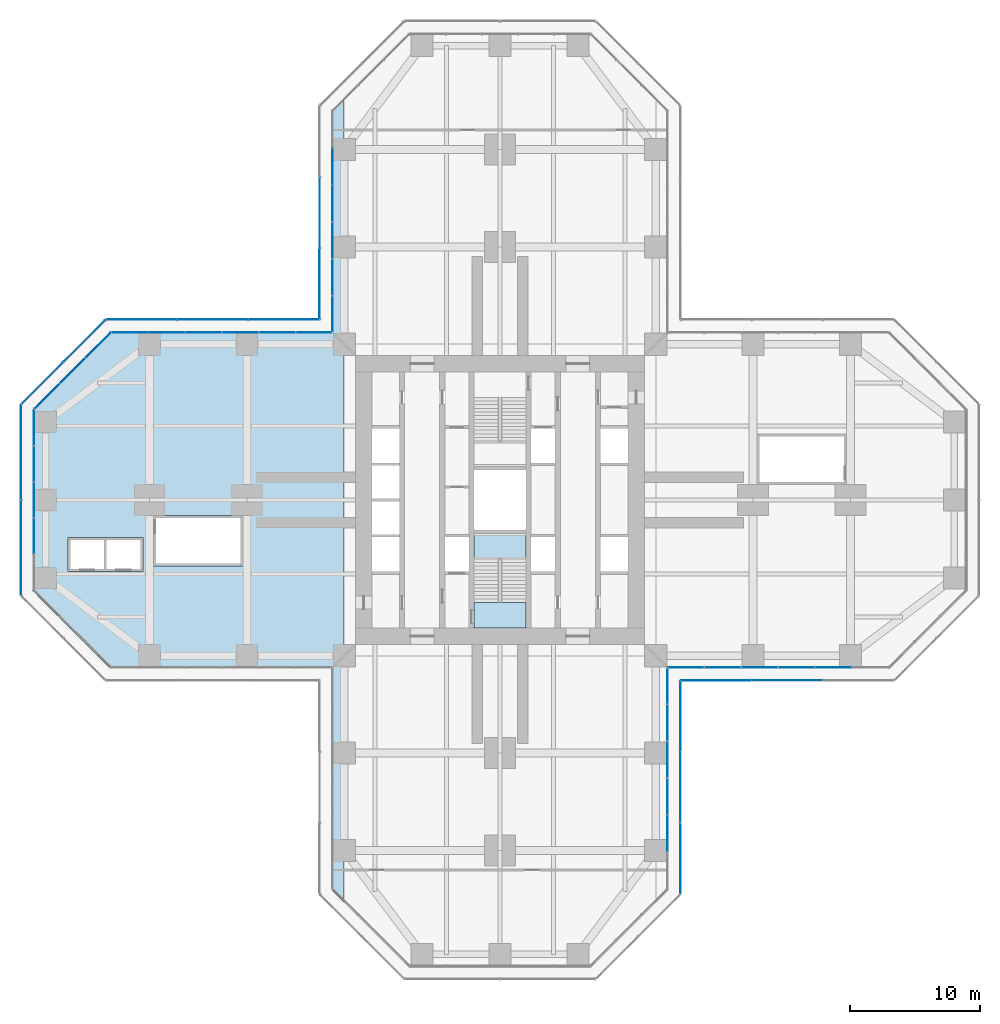
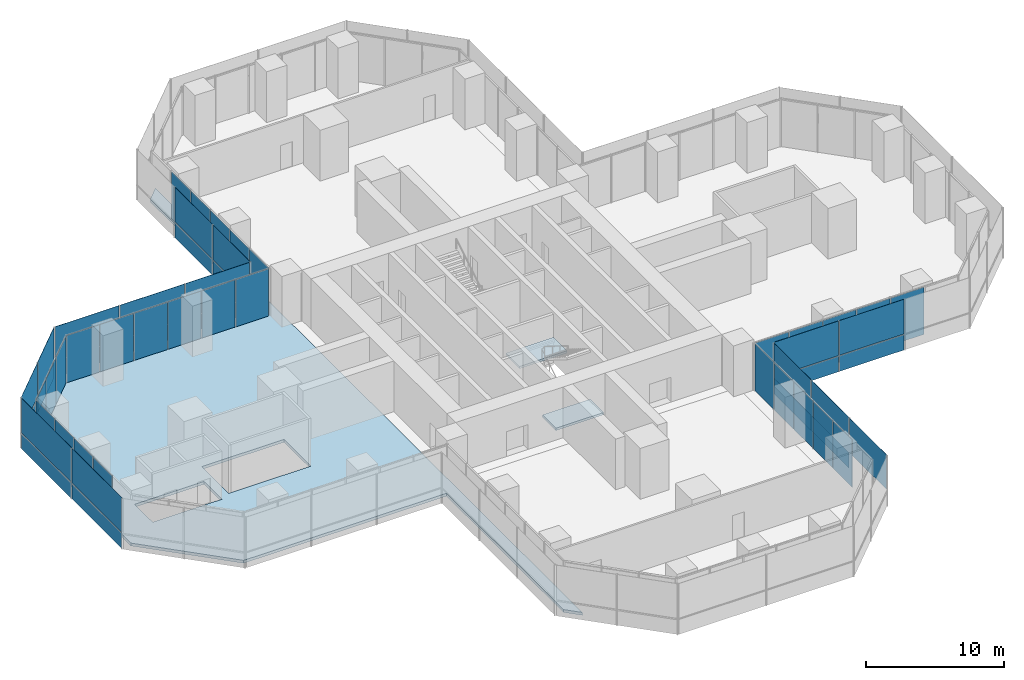
# One storey, part 14 of 21: 55 plates, 3 slabs, 13 elements without a shape of their own.
"""IFC4 building model written with IfcOpenShell, lengths in metres."""

from ifc_helpers import new_model, si_unit, direction, frame, origin, origin_2d, place, context, subcontext, project, spatial, polyline, rectangle, outline, extrude, material, layer, layer_set, type_object, element, aggregate, save


model = new_model("IFC4")

# Units and contexts
model_context = context("Model", 3, precision=1e-05, world=origin(), true_north=direction((0.0, 1.0)))
body_context = subcontext(model_context, "Body", "Model", "MODEL_VIEW")
ifc_project = project(units=[si_unit("LENGTHUNIT", "METRE"), si_unit("AREAUNIT", "SQUARE_METRE"), si_unit("VOLUMEUNIT", "CUBIC_METRE"), si_unit("PLANEANGLEUNIT", "RADIAN"), si_unit("MASSUNIT", "GRAM", prefix="KILO")], contexts=[model_context])

# Site, building, storey
site_placement = place(None, origin())
site = spatial("IfcSite", under=ifc_project, at=site_placement, CompositionType="ELEMENT")
building_placement = place(site_placement, origin())
building = spatial("IfcBuilding", under=site, at=building_placement, Name="Mizan Broadcast Tower", CompositionType="ELEMENT")
storey_placement = place(building_placement, frame((0.0, 0.0, 33.0)))
storey = spatial("IfcBuildingStorey", under=building, at=storey_placement, Name="L05", CompositionType="ELEMENT", Elevation=33.0)

# Curtain wall, plates
ifc_material_1 = material(Name="Aluminium framed glazing", Category="aluminium")
curtain_wall_type_1 = type_object("IfcCurtainWallType", Name="OUTER SKIN", PredefinedType="USERDEFINED", material=ifc_material_1)
curtain_wall_1_placement = place(storey_placement, origin())
curtain_wall_1 = element("IfcCurtainWall", 1, at=curtain_wall_1_placement, inside=storey, type_object=curtain_wall_type_1, Name="Outer skin L05 E side", ObjectType="OUTER SKIN", PredefinedType="USERDEFINED")
ifc_material_2 = material(Name="Laminated clear glass", Category="glass")
ifc_layer_1 = layer(ifc_material_2, 0.02001953125)
ifc_layer_set_1 = layer_set([ifc_layer_1], Name="Laminated clear glass")
plate_type_1 = type_object("IfcPlateType", Name="OUTER SKIN CLEAR GLASS", PredefinedType="CURTAIN_PANEL", material=ifc_layer_set_1)
plate_1_placement = place(storey_placement, frame((16.66552734375, -13.89990234375, 0.0), z_axis=(0.0, 0.0, 1.0), x_axis=(1.0, 0.0, 0.0)))
plate_1 = element("IfcPlate", 2, at=plate_1_placement, type_object=plate_type_1, Name="Outer skin L05 E side panel 1.1", PredefinedType="CURTAIN_PANEL", context=body_context, shape_type="SweptSolid", body=[
    extrude(rectangle(XDim=5.370849609375, YDim=0.02001953125, at=origin_2d()), origin(), (0.0, 0.0, 1.0), 1.3701171875),
])
plate_2_placement = place(storey_placement, frame((16.66552734375, -13.89990234375, 1.43017578125), z_axis=(0.0, 0.0, 1.0), x_axis=(1.0, 0.0, 0.0)))
plate_2 = element("IfcPlate", 3, at=plate_2_placement, type_object=plate_type_1, Name="Outer skin L05 E side panel 1.2", PredefinedType="CURTAIN_PANEL", context=body_context, shape_type="SweptSolid", body=[
    extrude(rectangle(XDim=5.370849609375, YDim=0.02001953125, at=origin_2d()), origin(), (0.0, 0.0, 1.0), 3.070068359375),
])

curtain_wall_2_placement = place(storey_placement, origin())
curtain_wall_2 = element("IfcCurtainWall", 4, at=curtain_wall_2_placement, inside=storey, type_object=curtain_wall_type_1, Name="Outer skin L05 N side", ObjectType="OUTER SKIN", PredefinedType="USERDEFINED")
plate_3_placement = place(storey_placement, frame((-13.89990234375, 16.66552734375, 0.0), z_axis=(0.0, 0.0, 1.0), x_axis=(0.0, -1.0, 0.0)))
plate_3 = element("IfcPlate", 5, at=plate_3_placement, type_object=plate_type_1, Name="Outer skin L05 N side panel 3.1", PredefinedType="CURTAIN_PANEL", context=body_context, shape_type="SweptSolid", body=[
    extrude(rectangle(XDim=5.370849609375, YDim=0.02001953125, at=origin_2d()), origin(), (0.0, 0.0, 1.0), 1.3701171875),
])
plate_4_placement = place(storey_placement, frame((-13.89990234375, 16.66552734375, 1.43017578125), z_axis=(0.0, 0.0, 1.0), x_axis=(0.0, -1.0, 0.0)))
plate_4 = element("IfcPlate", 6, at=plate_4_placement, type_object=plate_type_1, Name="Outer skin L05 N side panel 3.2", PredefinedType="CURTAIN_PANEL", context=body_context, shape_type="SweptSolid", body=[
    extrude(rectangle(XDim=5.370849609375, YDim=0.02001953125, at=origin_2d()), origin(), (0.0, 0.0, 1.0), 3.070068359375),
])

curtain_wall_3_placement = place(storey_placement, origin())
curtain_wall_3 = element("IfcCurtainWall", 7, at=curtain_wall_3_placement, inside=storey, type_object=curtain_wall_type_1, Name="Outer skin L05 W side", ObjectType="OUTER SKIN", PredefinedType="USERDEFINED")
plate_5_placement = place(storey_placement, frame((-16.66552734375, 13.89990234375, 0.0), z_axis=(0.0, 0.0, 1.0), x_axis=(-1.0, 0.0, 0.0)))
plate_5 = element("IfcPlate", 8, at=plate_5_placement, type_object=plate_type_1, Name="Outer skin L05 W side panel 1.1", PredefinedType="CURTAIN_PANEL", context=body_context, shape_type="SweptSolid", body=[
    extrude(rectangle(XDim=5.370849609375, YDim=0.02001953125, at=origin_2d()), origin(), (0.0, 0.0, 1.0), 1.3701171875),
])
plate_6_placement = place(storey_placement, frame((-16.66552734375, 13.89990234375, 1.43017578125), z_axis=(0.0, 0.0, 1.0), x_axis=(-1.0, 0.0, 0.0)))
plate_6 = element("IfcPlate", 9, at=plate_6_placement, type_object=plate_type_1, Name="Outer skin L05 W side panel 1.2", PredefinedType="CURTAIN_PANEL", context=body_context, shape_type="SweptSolid", body=[
    extrude(rectangle(XDim=5.370849609375, YDim=0.02001953125, at=origin_2d()), origin(), (0.0, 0.0, 1.0), 3.070068359375),
])
plate_7_placement = place(storey_placement, frame((-22.136474609375, 13.89990234375, 0.0), z_axis=(0.0, 0.0, 1.0), x_axis=(-1.0, 0.0, 0.0)))
plate_7 = element("IfcPlate", 10, at=plate_7_placement, type_object=plate_type_1, Name="Outer skin L05 W side panel 2.1", PredefinedType="CURTAIN_PANEL", context=body_context, shape_type="SweptSolid", body=[
    extrude(rectangle(XDim=5.410888671875, YDim=0.02001953125, at=origin_2d()), origin(), (0.0, 0.0, 1.0), 1.3701171875),
])
plate_8_placement = place(storey_placement, frame((-22.136474609375, 13.89990234375, 1.43017578125), z_axis=(0.0, 0.0, 1.0), x_axis=(-1.0, 0.0, 0.0)))
plate_8 = element("IfcPlate", 11, at=plate_8_placement, type_object=plate_type_1, Name="Outer skin L05 W side panel 2.2", PredefinedType="CURTAIN_PANEL", context=body_context, shape_type="SweptSolid", body=[
    extrude(rectangle(XDim=5.410888671875, YDim=0.02001953125, at=origin_2d()), origin(), (0.0, 0.0, 1.0), 3.070068359375),
])
plate_9_placement = place(storey_placement, frame((-27.607421875, 13.89990234375, 0.0), z_axis=(0.0, 0.0, 1.0), x_axis=(-1.0, 0.0, 0.0)))
plate_9 = element("IfcPlate", 12, at=plate_9_placement, type_object=plate_type_1, Name="Outer skin L05 W side panel 3.1", PredefinedType="CURTAIN_PANEL", context=body_context, shape_type="SweptSolid", body=[
    extrude(rectangle(XDim=5.370849609375, YDim=0.02001953125, at=origin_2d()), origin(), (0.0, 0.0, 1.0), 1.3701171875),
])
plate_10_placement = place(storey_placement, frame((-27.607421875, 13.89990234375, 1.43017578125), z_axis=(0.0, 0.0, 1.0), x_axis=(-1.0, 0.0, 0.0)))
plate_10 = element("IfcPlate", 13, at=plate_10_placement, type_object=plate_type_1, Name="Outer skin L05 W side panel 3.2", PredefinedType="CURTAIN_PANEL", context=body_context, shape_type="SweptSolid", body=[
    extrude(rectangle(XDim=5.370849609375, YDim=0.02001953125, at=origin_2d()), origin(), (0.0, 0.0, 1.0), 3.070068359375),
])
aggregate(curtain_wall_3, [plate_5, plate_6, plate_7, plate_8, plate_9, plate_10])

curtain_wall_4_placement = place(storey_placement, origin())
curtain_wall_4 = element("IfcCurtainWall", 14, at=curtain_wall_4_placement, inside=storey, type_object=curtain_wall_type_1, Name="Outer skin L05 W chamfer", ObjectType="OUTER SKIN", PredefinedType="USERDEFINED")
plate_11_placement = place(storey_placement, frame((-32.018798828125, 12.254150390625, 0.0), z_axis=(0.0, 0.0, 1.0), x_axis=(-0.707106781187, -0.707106781187, 0.0)))
plate_11 = element("IfcPlate", 15, at=plate_11_placement, type_object=plate_type_1, Name="Outer skin L05 W chamfer panel 1.1", PredefinedType="CURTAIN_PANEL", context=body_context, shape_type="SweptSolid", body=[
    extrude(rectangle(XDim=4.495361328125, YDim=0.02001953125, at=origin_2d()), origin(), (0.0, 0.0, 1.0), 1.3701171875),
])
plate_12_placement = place(storey_placement, frame((-32.018798828125, 12.254150390625, 1.43017578125), z_axis=(0.0, 0.0, 1.0), x_axis=(-0.707106781187, -0.707106781187, 0.0)))
plate_12 = element("IfcPlate", 16, at=plate_12_placement, type_object=plate_type_1, Name="Outer skin L05 W chamfer panel 1.2", PredefinedType="CURTAIN_PANEL", context=body_context, shape_type="SweptSolid", body=[
    extrude(rectangle(XDim=4.495361328125, YDim=0.02001953125, at=origin_2d()), origin(), (0.0, 0.0, 1.0), 3.070068359375),
])

curtain_wall_5_placement = place(storey_placement, origin())
curtain_wall_5 = element("IfcCurtainWall", 17, at=curtain_wall_5_placement, inside=storey, type_object=curtain_wall_type_1, Name="Outer skin L05 W end", ObjectType="OUTER SKIN", PredefinedType="USERDEFINED")
plate_13_placement = place(storey_placement, frame((-36.89990234375, 3.66650390625, 0.0), z_axis=(0.0, 0.0, 1.0), x_axis=(0.0, -1.0, 0.0)))
plate_13 = element("IfcPlate", 18, at=plate_13_placement, type_object=plate_type_1, Name="Outer skin L05 W end panel 1.1", PredefinedType="CURTAIN_PANEL", context=body_context, shape_type="SweptSolid", body=[
    extrude(rectangle(XDim=7.252685546875, YDim=0.02001953125, at=origin_2d()), origin(), (0.0, 0.0, 1.0), 1.3701171875),
])
plate_14_placement = place(storey_placement, frame((-36.89990234375, 3.66650390625, 1.43017578125), z_axis=(0.0, 0.0, 1.0), x_axis=(0.0, -1.0, 0.0)))
plate_14 = element("IfcPlate", 19, at=plate_14_placement, type_object=plate_type_1, Name="Outer skin L05 W end panel 1.2", PredefinedType="CURTAIN_PANEL", context=body_context, shape_type="SweptSolid", body=[
    extrude(rectangle(XDim=7.252685546875, YDim=0.02001953125, at=origin_2d()), origin(), (0.0, 0.0, 1.0), 3.070068359375),
])

curtain_wall_6_placement = place(storey_placement, origin())
curtain_wall_6 = element("IfcCurtainWall", 20, at=curtain_wall_6_placement, inside=storey, type_object=curtain_wall_type_1, Name="Outer skin L05 S side", ObjectType="OUTER SKIN", PredefinedType="USERDEFINED")
plate_15_placement = place(storey_placement, frame((13.89990234375, -27.607421875, 1.43017578125), z_axis=(0.0, 0.0, 1.0), x_axis=(0.0, 1.0, 0.0)))
plate_15 = element("IfcPlate", 21, at=plate_15_placement, type_object=plate_type_1, Name="Outer skin L05 S side panel 1.2", PredefinedType="CURTAIN_PANEL", context=body_context, shape_type="SweptSolid", body=[
    extrude(rectangle(XDim=5.370849609375, YDim=0.02001953125, at=origin_2d()), origin(), (0.0, 0.0, 1.0), 3.070068359375),
])
plate_16_placement = place(storey_placement, frame((13.89990234375, -16.66552734375, 0.0), z_axis=(0.0, 0.0, 1.0), x_axis=(0.0, 1.0, 0.0)))
plate_16 = element("IfcPlate", 22, at=plate_16_placement, type_object=plate_type_1, Name="Outer skin L05 S side panel 3.1", PredefinedType="CURTAIN_PANEL", context=body_context, shape_type="SweptSolid", body=[
    extrude(rectangle(XDim=5.370849609375, YDim=0.02001953125, at=origin_2d()), origin(), (0.0, 0.0, 1.0), 1.3701171875),
])
plate_17_placement = place(storey_placement, frame((13.89990234375, -16.66552734375, 1.43017578125), z_axis=(0.0, 0.0, 1.0), x_axis=(0.0, 1.0, 0.0)))
plate_17 = element("IfcPlate", 23, at=plate_17_placement, type_object=plate_type_1, Name="Outer skin L05 S side panel 3.2", PredefinedType="CURTAIN_PANEL", context=body_context, shape_type="SweptSolid", body=[
    extrude(rectangle(XDim=5.370849609375, YDim=0.02001953125, at=origin_2d()), origin(), (0.0, 0.0, 1.0), 3.070068359375),
])

# Plate
ifc_material_3 = material(Name="Perforated aluminium, pale anodised", Category="aluminium")
ifc_layer_2 = layer(ifc_material_3, 0.011962890625)
ifc_layer_set_2 = layer_set([ifc_layer_2], Name="Perforated aluminium, pale anodised")
plate_type_2 = type_object("IfcPlateType", Name="OUTER SKIN PERFORATED SCREEN", PredefinedType="USERDEFINED", material=ifc_layer_set_2)
plate_18_placement = place(storey_placement, frame((22.136474609375, -13.89990234375, 0.0), z_axis=(0.0, 0.0, 1.0), x_axis=(1.0, 0.0, 0.0)))
plate_18 = element("IfcPlate", 24, at=plate_18_placement, type_object=plate_type_2, Name="Outer skin L05 E side panel 2.1", ObjectType="SCREEN", PredefinedType="USERDEFINED", context=body_context, shape_type="SweptSolid", body=[
    extrude(rectangle(XDim=5.410888671875, YDim=0.011962890625, at=origin_2d()), origin(), (0.0, 0.0, 1.0), 1.3701171875),
])

plate_19_placement = place(storey_placement, frame((22.136474609375, -13.89990234375, 1.43017578125), z_axis=(0.0, 0.0, 1.0), x_axis=(1.0, 0.0, 0.0)))
plate_19 = element("IfcPlate", 25, at=plate_19_placement, type_object=plate_type_2, Name="Outer skin L05 E side panel 2.2", ObjectType="SCREEN", PredefinedType="USERDEFINED", context=body_context, shape_type="SweptSolid", body=[
    extrude(rectangle(XDim=5.410888671875, YDim=0.011962890625, at=origin_2d()), origin(), (0.0, 0.0, 1.0), 3.070068359375),
])

aggregate(curtain_wall_1, [plate_1, plate_2, plate_18, plate_19])

plate_20_placement = place(storey_placement, frame((-13.89990234375, 22.136474609375, 0.0), z_axis=(0.0, 0.0, 1.0), x_axis=(0.0, -1.0, 0.0)))
plate_20 = element("IfcPlate", 26, at=plate_20_placement, type_object=plate_type_2, Name="Outer skin L05 N side panel 2.1", ObjectType="SCREEN", PredefinedType="USERDEFINED", context=body_context, shape_type="SweptSolid", body=[
    extrude(rectangle(XDim=5.410888671875, YDim=0.011962890625, at=origin_2d()), origin(), (0.0, 0.0, 1.0), 1.3701171875),
])

plate_21_placement = place(storey_placement, frame((-13.89990234375, 22.136474609375, 1.43017578125), z_axis=(0.0, 0.0, 1.0), x_axis=(0.0, -1.0, 0.0)))
plate_21 = element("IfcPlate", 27, at=plate_21_placement, type_object=plate_type_2, Name="Outer skin L05 N side panel 2.2", ObjectType="SCREEN", PredefinedType="USERDEFINED", context=body_context, shape_type="SweptSolid", body=[
    extrude(rectangle(XDim=5.410888671875, YDim=0.011962890625, at=origin_2d()), origin(), (0.0, 0.0, 1.0), 3.070068359375),
])

aggregate(curtain_wall_2, [plate_20, plate_21, plate_3, plate_4])

plate_22_placement = place(storey_placement, frame((-35.254150390625, 9.018798828125, 0.0), z_axis=(0.0, 0.0, 1.0), x_axis=(-0.707106781187, -0.707106781187, 0.0)))
plate_22 = element("IfcPlate", 28, at=plate_22_placement, type_object=plate_type_2, Name="Outer skin L05 W chamfer panel 2.1", ObjectType="SCREEN", PredefinedType="USERDEFINED", context=body_context, shape_type="SweptSolid", body=[
    extrude(rectangle(XDim=4.495361328125, YDim=0.011962890625, at=origin_2d()), origin(), (0.0, 0.0, 1.0), 1.3701171875),
])

plate_23_placement = place(storey_placement, frame((-35.254150390625, 9.018798828125, 1.43017578125), z_axis=(0.0, 0.0, 1.0), x_axis=(-0.707106781187, -0.707106781187, 0.0)))
plate_23 = element("IfcPlate", 29, at=plate_23_placement, type_object=plate_type_2, Name="Outer skin L05 W chamfer panel 2.2", ObjectType="SCREEN", PredefinedType="USERDEFINED", context=body_context, shape_type="SweptSolid", body=[
    extrude(rectangle(XDim=4.495361328125, YDim=0.011962890625, at=origin_2d()), origin(), (0.0, 0.0, 1.0), 3.070068359375),
])

aggregate(curtain_wall_4, [plate_11, plate_12, plate_22, plate_23])

plate_24_placement = place(storey_placement, frame((-36.89990234375, -3.66650390625, 0.0), z_axis=(0.0, 0.0, 1.0), x_axis=(0.0, -1.0, 0.0)))
plate_24 = element("IfcPlate", 30, at=plate_24_placement, type_object=plate_type_2, Name="Outer skin L05 W end panel 2.1", ObjectType="SCREEN", PredefinedType="USERDEFINED", context=body_context, shape_type="SweptSolid", body=[
    extrude(rectangle(XDim=7.252685546875, YDim=0.011962890625, at=origin_2d()), origin(), (0.0, 0.0, 1.0), 1.3701171875),
])

plate_25_placement = place(storey_placement, frame((-36.89990234375, -3.66650390625, 1.43017578125), z_axis=(0.0, 0.0, 1.0), x_axis=(0.0, -1.0, 0.0)))
plate_25 = element("IfcPlate", 31, at=plate_25_placement, type_object=plate_type_2, Name="Outer skin L05 W end panel 2.2", ObjectType="SCREEN", PredefinedType="USERDEFINED", context=body_context, shape_type="SweptSolid", body=[
    extrude(rectangle(XDim=7.252685546875, YDim=0.011962890625, at=origin_2d()), origin(), (0.0, 0.0, 1.0), 3.070068359375),
])

aggregate(curtain_wall_5, [plate_13, plate_14, plate_24, plate_25])

plate_26_placement = place(storey_placement, frame((13.89990234375, -22.136474609375, 0.0), z_axis=(0.0, 0.0, 1.0), x_axis=(0.0, 1.0, 0.0)))
plate_26 = element("IfcPlate", 32, at=plate_26_placement, type_object=plate_type_2, Name="Outer skin L05 S side panel 2.1", ObjectType="SCREEN", PredefinedType="USERDEFINED", context=body_context, shape_type="SweptSolid", body=[
    extrude(rectangle(XDim=5.410888671875, YDim=0.011962890625, at=origin_2d()), origin(), (0.0, 0.0, 1.0), 1.3701171875),
])

plate_27_placement = place(storey_placement, frame((13.89990234375, -22.136474609375, 1.43017578125), z_axis=(0.0, 0.0, 1.0), x_axis=(0.0, 1.0, 0.0)))
plate_27 = element("IfcPlate", 33, at=plate_27_placement, type_object=plate_type_2, Name="Outer skin L05 S side panel 2.2", ObjectType="SCREEN", PredefinedType="USERDEFINED", context=body_context, shape_type="SweptSolid", body=[
    extrude(rectangle(XDim=5.410888671875, YDim=0.011962890625, at=origin_2d()), origin(), (0.0, 0.0, 1.0), 3.070068359375),
])

aggregate(curtain_wall_6, [plate_15, plate_26, plate_27, plate_16, plate_17])

# Curtain wall, plates
ifc_material_4 = material(Name="Aluminium framed glazing", Category="aluminium")
curtain_wall_type_2 = type_object("IfcCurtainWallType", Name="PODIUM CURTAIN WALL", PredefinedType="USERDEFINED", material=ifc_material_4)
curtain_wall_7_placement = place(storey_placement, origin())
curtain_wall_7 = element("IfcCurtainWall", 34, at=curtain_wall_7_placement, inside=storey, type_object=curtain_wall_type_2, Name="Podium curtain wall L05 E side", ObjectType="PODIUM CURTAIN WALL", PredefinedType="USERDEFINED")
ifc_material_5 = material(Name="Double glazing, clear laminated", Category="glass")
ifc_layer_3 = layer(ifc_material_5, 0.031982421875)
ifc_layer_set_3 = layer_set([ifc_layer_3], Name="Double glazing, clear laminated")
plate_type_3 = type_object("IfcPlateType", Name="PODIUM GLAZING UNIT", PredefinedType="CURTAIN_PANEL", material=ifc_layer_set_3)
plate_28_placement = place(storey_placement, frame((14.336669921875, -12.89990234375, 0.0), z_axis=(0.0, 0.0, 1.0), x_axis=(1.0, 0.0, 0.0)))
plate_28 = element("IfcPlate", 35, at=plate_28_placement, type_object=plate_type_3, Name="Podium curtain wall L05 E side panel 1.1", PredefinedType="CURTAIN_PANEL", context=body_context, shape_type="SweptSolid", body=[
    extrude(rectangle(XDim=2.753173828125, YDim=0.031982421875, at=origin_2d()), origin(), (0.0, 0.0, 1.0), 4.18994140625),
])
plate_29_placement = place(storey_placement, frame((17.16455078125, -12.89990234375, 0.0), z_axis=(0.0, 0.0, 1.0), x_axis=(1.0, 0.0, 0.0)))
plate_29 = element("IfcPlate", 36, at=plate_29_placement, type_object=plate_type_3, Name="Podium curtain wall L05 E side panel 2.1", PredefinedType="CURTAIN_PANEL", context=body_context, shape_type="SweptSolid", body=[
    extrude(rectangle(XDim=2.783203125, YDim=0.031982421875, at=origin_2d()), origin(), (0.0, 0.0, 1.0), 4.18994140625),
])
plate_30_placement = place(storey_placement, frame((20.0078125, -12.89990234375, 0.0), z_axis=(0.0, 0.0, 1.0), x_axis=(1.0, 0.0, 0.0)))
plate_30 = element("IfcPlate", 37, at=plate_30_placement, type_object=plate_type_3, Name="Podium curtain wall L05 E side panel 3.1", PredefinedType="CURTAIN_PANEL", context=body_context, shape_type="SweptSolid", body=[
    extrude(rectangle(XDim=2.783203125, YDim=0.031982421875, at=origin_2d()), origin(), (0.0, 0.0, 1.0), 4.18994140625),
])
plate_31_placement = place(storey_placement, frame((22.850830078125, -12.89990234375, 0.0), z_axis=(0.0, 0.0, 1.0), x_axis=(1.0, 0.0, 0.0)))
plate_31 = element("IfcPlate", 38, at=plate_31_placement, type_object=plate_type_3, Name="Podium curtain wall L05 E side panel 4.1", PredefinedType="CURTAIN_PANEL", context=body_context, shape_type="SweptSolid", body=[
    extrude(rectangle(XDim=2.783203125, YDim=0.031982421875, at=origin_2d()), origin(), (0.0, 0.0, 1.0), 4.18994140625),
])
plate_32_placement = place(storey_placement, frame((25.69384765625, -12.89990234375, 0.0), z_axis=(0.0, 0.0, 1.0), x_axis=(1.0, 0.0, 0.0)))
plate_32 = element("IfcPlate", 39, at=plate_32_placement, type_object=plate_type_3, Name="Podium curtain wall L05 E side panel 5.1", PredefinedType="CURTAIN_PANEL", context=body_context, shape_type="SweptSolid", body=[
    extrude(rectangle(XDim=2.783203125, YDim=0.031982421875, at=origin_2d()), origin(), (0.0, 0.0, 1.0), 4.18994140625),
])
aggregate(curtain_wall_7, [plate_28, plate_29, plate_30, plate_31, plate_32])

curtain_wall_8_placement = place(storey_placement, origin())
curtain_wall_8 = element("IfcCurtainWall", 40, at=curtain_wall_8_placement, inside=storey, type_object=curtain_wall_type_2, Name="Podium curtain wall L05 N side", ObjectType="PODIUM CURTAIN WALL", PredefinedType="USERDEFINED")
plate_33_placement = place(storey_placement, frame((-12.89990234375, 25.69384765625, 0.0), z_axis=(0.0, 0.0, 1.0), x_axis=(0.0, -1.0, 0.0)))
plate_33 = element("IfcPlate", 41, at=plate_33_placement, type_object=plate_type_3, Name="Podium curtain wall L05 N side panel 2.1", PredefinedType="CURTAIN_PANEL", context=body_context, shape_type="SweptSolid", body=[
    extrude(rectangle(XDim=2.783203125, YDim=0.031982421875, at=origin_2d()), origin(), (0.0, 0.0, 1.0), 4.18994140625),
])
plate_34_placement = place(storey_placement, frame((-12.89990234375, 22.850830078125, 0.0), z_axis=(0.0, 0.0, 1.0), x_axis=(0.0, -1.0, 0.0)))
plate_34 = element("IfcPlate", 42, at=plate_34_placement, type_object=plate_type_3, Name="Podium curtain wall L05 N side panel 3.1", PredefinedType="CURTAIN_PANEL", context=body_context, shape_type="SweptSolid", body=[
    extrude(rectangle(XDim=2.783203125, YDim=0.031982421875, at=origin_2d()), origin(), (0.0, 0.0, 1.0), 4.18994140625),
])
plate_35_placement = place(storey_placement, frame((-12.89990234375, 20.0078125, 0.0), z_axis=(0.0, 0.0, 1.0), x_axis=(0.0, -1.0, 0.0)))
plate_35 = element("IfcPlate", 43, at=plate_35_placement, type_object=plate_type_3, Name="Podium curtain wall L05 N side panel 4.1", PredefinedType="CURTAIN_PANEL", context=body_context, shape_type="SweptSolid", body=[
    extrude(rectangle(XDim=2.783203125, YDim=0.031982421875, at=origin_2d()), origin(), (0.0, 0.0, 1.0), 4.18994140625),
])
plate_36_placement = place(storey_placement, frame((-12.89990234375, 17.16455078125, 0.0), z_axis=(0.0, 0.0, 1.0), x_axis=(0.0, -1.0, 0.0)))
plate_36 = element("IfcPlate", 44, at=plate_36_placement, type_object=plate_type_3, Name="Podium curtain wall L05 N side panel 5.1", PredefinedType="CURTAIN_PANEL", context=body_context, shape_type="SweptSolid", body=[
    extrude(rectangle(XDim=2.783203125, YDim=0.031982421875, at=origin_2d()), origin(), (0.0, 0.0, 1.0), 4.18994140625),
])
plate_37_placement = place(storey_placement, frame((-12.89990234375, 14.336669921875, 0.0), z_axis=(0.0, 0.0, 1.0), x_axis=(0.0, -1.0, 0.0)))
plate_37 = element("IfcPlate", 45, at=plate_37_placement, type_object=plate_type_3, Name="Podium curtain wall L05 N side panel 6.1", PredefinedType="CURTAIN_PANEL", context=body_context, shape_type="SweptSolid", body=[
    extrude(rectangle(XDim=2.753173828125, YDim=0.031982421875, at=origin_2d()), origin(), (0.0, 0.0, 1.0), 4.18994140625),
])
aggregate(curtain_wall_8, [plate_33, plate_34, plate_35, plate_36, plate_37])

curtain_wall_9_placement = place(storey_placement, origin())
curtain_wall_9 = element("IfcCurtainWall", 46, at=curtain_wall_9_placement, inside=storey, type_object=curtain_wall_type_2, Name="Podium curtain wall L05 W side", ObjectType="PODIUM CURTAIN WALL", PredefinedType="USERDEFINED")
plate_38_placement = place(storey_placement, frame((-14.336669921875, 12.89990234375, 0.0), z_axis=(0.0, 0.0, 1.0), x_axis=(-1.0, 0.0, 0.0)))
plate_38 = element("IfcPlate", 47, at=plate_38_placement, type_object=plate_type_3, Name="Podium curtain wall L05 W side panel 1.1", PredefinedType="CURTAIN_PANEL", context=body_context, shape_type="SweptSolid", body=[
    extrude(rectangle(XDim=2.753173828125, YDim=0.031982421875, at=origin_2d()), origin(), (0.0, 0.0, 1.0), 4.18994140625),
])
plate_39_placement = place(storey_placement, frame((-17.16455078125, 12.89990234375, 0.0), z_axis=(0.0, 0.0, 1.0), x_axis=(-1.0, 0.0, 0.0)))
plate_39 = element("IfcPlate", 48, at=plate_39_placement, type_object=plate_type_3, Name="Podium curtain wall L05 W side panel 2.1", PredefinedType="CURTAIN_PANEL", context=body_context, shape_type="SweptSolid", body=[
    extrude(rectangle(XDim=2.783203125, YDim=0.031982421875, at=origin_2d()), origin(), (0.0, 0.0, 1.0), 4.18994140625),
])
plate_40_placement = place(storey_placement, frame((-20.0078125, 12.89990234375, 0.0), z_axis=(0.0, 0.0, 1.0), x_axis=(-1.0, 0.0, 0.0)))
plate_40 = element("IfcPlate", 49, at=plate_40_placement, type_object=plate_type_3, Name="Podium curtain wall L05 W side panel 3.1", PredefinedType="CURTAIN_PANEL", context=body_context, shape_type="SweptSolid", body=[
    extrude(rectangle(XDim=2.783203125, YDim=0.031982421875, at=origin_2d()), origin(), (0.0, 0.0, 1.0), 4.18994140625),
])
plate_41_placement = place(storey_placement, frame((-22.850830078125, 12.89990234375, 0.0), z_axis=(0.0, 0.0, 1.0), x_axis=(-1.0, 0.0, 0.0)))
plate_41 = element("IfcPlate", 50, at=plate_41_placement, type_object=plate_type_3, Name="Podium curtain wall L05 W side panel 4.1", PredefinedType="CURTAIN_PANEL", context=body_context, shape_type="SweptSolid", body=[
    extrude(rectangle(XDim=2.783203125, YDim=0.031982421875, at=origin_2d()), origin(), (0.0, 0.0, 1.0), 4.18994140625),
])
plate_42_placement = place(storey_placement, frame((-25.69384765625, 12.89990234375, 0.0), z_axis=(0.0, 0.0, 1.0), x_axis=(-1.0, 0.0, 0.0)))
plate_42 = element("IfcPlate", 51, at=plate_42_placement, type_object=plate_type_3, Name="Podium curtain wall L05 W side panel 5.1", PredefinedType="CURTAIN_PANEL", context=body_context, shape_type="SweptSolid", body=[
    extrude(rectangle(XDim=2.783203125, YDim=0.031982421875, at=origin_2d()), origin(), (0.0, 0.0, 1.0), 4.18994140625),
])
plate_43_placement = place(storey_placement, frame((-28.52197265625, 12.89990234375, 0.0), z_axis=(0.0, 0.0, 1.0), x_axis=(-1.0, 0.0, 0.0)))
plate_43 = element("IfcPlate", 52, at=plate_43_placement, type_object=plate_type_3, Name="Podium curtain wall L05 W side panel 6.1", PredefinedType="CURTAIN_PANEL", context=body_context, shape_type="SweptSolid", body=[
    extrude(rectangle(XDim=2.753173828125, YDim=0.031982421875, at=origin_2d()), origin(), (0.0, 0.0, 1.0), 4.18994140625),
])
aggregate(curtain_wall_9, [plate_38, plate_39, plate_40, plate_41, plate_42, plate_43])

curtain_wall_10_placement = place(storey_placement, origin())
curtain_wall_10 = element("IfcCurtainWall", 53, at=curtain_wall_10_placement, inside=storey, type_object=curtain_wall_type_2, Name="Podium curtain wall L05 W chamfer", ObjectType="PODIUM CURTAIN WALL", PredefinedType="USERDEFINED")
plate_44_placement = place(storey_placement, frame((-30.95947265625, 11.899169921875, 0.0), z_axis=(0.0, 0.0, 1.0), x_axis=(-0.707106781187, -0.707106781187, 0.0)))
plate_44 = element("IfcPlate", 54, at=plate_44_placement, type_object=plate_type_3, Name="Podium curtain wall L05 W chamfer panel 1.1", PredefinedType="CURTAIN_PANEL", context=body_context, shape_type="SweptSolid", body=[
    extrude(rectangle(XDim=2.710693359375, YDim=0.031982421875, at=origin_2d()), origin(), (0.0, 0.0, 1.0), 4.18994140625),
])
plate_45_placement = place(storey_placement, frame((-32.92919921875, 9.92919921875, 0.0), z_axis=(0.0, 0.0, 1.0), x_axis=(-0.707106781187, -0.707106781187, 0.0)))
plate_45 = element("IfcPlate", 55, at=plate_45_placement, type_object=plate_type_3, Name="Podium curtain wall L05 W chamfer panel 2.1", PredefinedType="CURTAIN_PANEL", context=body_context, shape_type="SweptSolid", body=[
    extrude(rectangle(XDim=2.74072265625, YDim=0.031982421875, at=origin_2d()), origin(), (0.0, 0.0, 1.0), 4.18994140625),
])
plate_46_placement = place(storey_placement, frame((-34.899169921875, 7.95947265625, 0.0), z_axis=(0.0, 0.0, 1.0), x_axis=(-0.707106781187, -0.707106781187, 0.0)))
plate_46 = element("IfcPlate", 56, at=plate_46_placement, type_object=plate_type_3, Name="Podium curtain wall L05 W chamfer panel 3.1", PredefinedType="CURTAIN_PANEL", context=body_context, shape_type="SweptSolid", body=[
    extrude(rectangle(XDim=2.710693359375, YDim=0.031982421875, at=origin_2d()), origin(), (0.0, 0.0, 1.0), 4.18994140625),
])
aggregate(curtain_wall_10, [plate_44, plate_45, plate_46])

curtain_wall_11_placement = place(storey_placement, origin())
curtain_wall_11 = element("IfcCurtainWall", 57, at=curtain_wall_11_placement, inside=storey, type_object=curtain_wall_type_2, Name="Podium curtain wall L05 W end", ObjectType="PODIUM CURTAIN WALL", PredefinedType="USERDEFINED")
plate_47_placement = place(storey_placement, frame((-35.89990234375, 5.5517578125, 0.0), z_axis=(0.0, 0.0, 1.0), x_axis=(0.0, -1.0, 0.0)))
plate_47 = element("IfcPlate", 58, at=plate_47_placement, type_object=plate_type_3, Name="Podium curtain wall L05 W end panel 1.1", PredefinedType="CURTAIN_PANEL", context=body_context, shape_type="SweptSolid", body=[
    extrude(rectangle(XDim=2.693359375, YDim=0.031982421875, at=origin_2d()), origin(), (0.0, 0.0, 1.0), 4.18994140625),
])
plate_48_placement = place(storey_placement, frame((-35.89990234375, 2.783447265625, 0.0), z_axis=(0.0, 0.0, 1.0), x_axis=(0.0, -1.0, 0.0)))
plate_48 = element("IfcPlate", 59, at=plate_48_placement, type_object=plate_type_3, Name="Podium curtain wall L05 W end panel 2.1", PredefinedType="CURTAIN_PANEL", context=body_context, shape_type="SweptSolid", body=[
    extrude(rectangle(XDim=2.723388671875, YDim=0.031982421875, at=origin_2d()), origin(), (0.0, 0.0, 1.0), 4.18994140625),
])
plate_49_placement = place(storey_placement, frame((-35.89990234375, 0.0, 0.0), z_axis=(0.0, 0.0, 1.0), x_axis=(0.0, -1.0, 0.0)))
plate_49 = element("IfcPlate", 60, at=plate_49_placement, type_object=plate_type_3, Name="Podium curtain wall L05 W end panel 3.1", PredefinedType="CURTAIN_PANEL", context=body_context, shape_type="SweptSolid", body=[
    extrude(rectangle(XDim=2.723388671875, YDim=0.031982421875, at=origin_2d()), origin(), (0.0, 0.0, 1.0), 4.18994140625),
])
plate_50_placement = place(storey_placement, frame((-35.89990234375, -2.783447265625, 0.0), z_axis=(0.0, 0.0, 1.0), x_axis=(0.0, -1.0, 0.0)))
plate_50 = element("IfcPlate", 61, at=plate_50_placement, type_object=plate_type_3, Name="Podium curtain wall L05 W end panel 4.1", PredefinedType="CURTAIN_PANEL", context=body_context, shape_type="SweptSolid", body=[
    extrude(rectangle(XDim=2.723388671875, YDim=0.031982421875, at=origin_2d()), origin(), (0.0, 0.0, 1.0), 4.18994140625),
])
aggregate(curtain_wall_11, [plate_47, plate_48, plate_49, plate_50])

curtain_wall_12_placement = place(storey_placement, origin())
curtain_wall_12 = element("IfcCurtainWall", 62, at=curtain_wall_12_placement, inside=storey, type_object=curtain_wall_type_2, Name="Podium curtain wall L05 S side", ObjectType="PODIUM CURTAIN WALL", PredefinedType="USERDEFINED")
plate_51_placement = place(storey_placement, frame((12.89990234375, -25.69384765625, 0.0), z_axis=(0.0, 0.0, 1.0), x_axis=(0.0, 1.0, 0.0)))
plate_51 = element("IfcPlate", 63, at=plate_51_placement, type_object=plate_type_3, Name="Podium curtain wall L05 S side panel 2.1", PredefinedType="CURTAIN_PANEL", context=body_context, shape_type="SweptSolid", body=[
    extrude(rectangle(XDim=2.783203125, YDim=0.031982421875, at=origin_2d()), origin(), (0.0, 0.0, 1.0), 4.18994140625),
])
plate_52_placement = place(storey_placement, frame((12.89990234375, -22.850830078125, 0.0), z_axis=(0.0, 0.0, 1.0), x_axis=(0.0, 1.0, 0.0)))
plate_52 = element("IfcPlate", 64, at=plate_52_placement, type_object=plate_type_3, Name="Podium curtain wall L05 S side panel 3.1", PredefinedType="CURTAIN_PANEL", context=body_context, shape_type="SweptSolid", body=[
    extrude(rectangle(XDim=2.783203125, YDim=0.031982421875, at=origin_2d()), origin(), (0.0, 0.0, 1.0), 4.18994140625),
])
plate_53_placement = place(storey_placement, frame((12.89990234375, -20.0078125, 0.0), z_axis=(0.0, 0.0, 1.0), x_axis=(0.0, 1.0, 0.0)))
plate_53 = element("IfcPlate", 65, at=plate_53_placement, type_object=plate_type_3, Name="Podium curtain wall L05 S side panel 4.1", PredefinedType="CURTAIN_PANEL", context=body_context, shape_type="SweptSolid", body=[
    extrude(rectangle(XDim=2.783203125, YDim=0.031982421875, at=origin_2d()), origin(), (0.0, 0.0, 1.0), 4.18994140625),
])
plate_54_placement = place(storey_placement, frame((12.89990234375, -17.16455078125, 0.0), z_axis=(0.0, 0.0, 1.0), x_axis=(0.0, 1.0, 0.0)))
plate_54 = element("IfcPlate", 66, at=plate_54_placement, type_object=plate_type_3, Name="Podium curtain wall L05 S side panel 5.1", PredefinedType="CURTAIN_PANEL", context=body_context, shape_type="SweptSolid", body=[
    extrude(rectangle(XDim=2.783203125, YDim=0.031982421875, at=origin_2d()), origin(), (0.0, 0.0, 1.0), 4.18994140625),
])
plate_55_placement = place(storey_placement, frame((12.89990234375, -14.336669921875, 0.0), z_axis=(0.0, 0.0, 1.0), x_axis=(0.0, 1.0, 0.0)))
plate_55 = element("IfcPlate", 67, at=plate_55_placement, type_object=plate_type_3, Name="Podium curtain wall L05 S side panel 6.1", PredefinedType="CURTAIN_PANEL", context=body_context, shape_type="SweptSolid", body=[
    extrude(rectangle(XDim=2.753173828125, YDim=0.031982421875, at=origin_2d()), origin(), (0.0, 0.0, 1.0), 4.18994140625),
])
aggregate(curtain_wall_12, [plate_51, plate_52, plate_53, plate_54, plate_55])

# Slab
ifc_material_6 = material(Name="Concrete C40/50", Category="concrete")
ifc_layer_4 = layer(ifc_material_6, 0.25)
ifc_layer_set_4 = layer_set([ifc_layer_4], Name="Concrete C40/50")
slab_type_1 = type_object("IfcSlabType", Name="RC FLAT SLAB 250", PredefinedType="FLOOR", material=ifc_layer_set_4)
slab_1_placement = place(storey_placement, frame((0.0, 0.0, -0.25)))
element("IfcSlab", 68, at=slab_1_placement, inside=storey, type_object=slab_type_1, Name="Floor slab L05 west arm", PredefinedType="FLOOR", context=body_context, shape_type="SweptSolid", body=[
    extrude(outline(polyline([(-13.0, -13.0), (-13.0, -30.0), (-12.0, -31.0), (-12.0, 31.0), (-13.0, 30.0), (-13.0, 13.0), (-30.0, 13.0), (-36.0, 7.0), (-36.0, -7.0), (-30.0, -13.0), (-13.0, -13.0)]), holes=[polyline([(-19.800048828125, -5.10009765625), (-26.699951171875, -5.10009765625), (-26.699951171875, -1.199951171875), (-19.800048828125, -1.199951171875), (-19.800048828125, -5.10009765625)]), polyline([(-33.300048828125, -5.5), (-33.300048828125, -2.89990234375), (-27.5, -2.89990234375), (-27.5, -5.5), (-33.300048828125, -5.5)])]), origin(), (0.0, 0.0, 1.0), 0.25),
])

# Stair, slabs
ifc_material_7 = material(Name="Concrete C40/50", Category="concrete")
stair_type = type_object("IfcStairType", Name="EXIT STAIR", PredefinedType="HALF_TURN_STAIR", material=ifc_material_7)
stair_placement = place(storey_placement, origin())
stair = element("IfcStair", 69, at=stair_placement, inside=storey, type_object=stair_type, Name="Stair A L05", PredefinedType="HALF_TURN_STAIR")
ifc_material_8 = material(Name="Concrete C40/50", Category="concrete")
ifc_layer_5 = layer(ifc_material_8, 0.199951171875)
ifc_layer_set_5 = layer_set([ifc_layer_5], Name="Concrete C40/50")
slab_type_2 = type_object("IfcSlabType", Name="STAIR LANDING 200", PredefinedType="LANDING", material=ifc_layer_set_5)
slab_2_placement = place(storey_placement, frame((0.0, 0.0, -0.199951171875)))
slab_2 = element("IfcSlab", 70, at=slab_2_placement, type_object=slab_type_2, Name="A landing 1", PredefinedType="LANDING", context=body_context, shape_type="SweptSolid", body=[
    extrude(outline(polyline([(-2.0, -9.85009765625), (-2.0, -7.89990234375), (2.0, -7.89990234375), (2.0, -9.85009765625), (-2.0, -9.85009765625)])), origin(), (0.0, 0.0, 1.0), 0.199951171875),
])
slab_3_placement = place(storey_placement, frame((0.0, 0.0, 2.050048828125)))
slab_3 = element("IfcSlab", 71, at=slab_3_placement, type_object=slab_type_2, Name="A landing 2", PredefinedType="LANDING", context=body_context, shape_type="SweptSolid", body=[
    extrude(outline(polyline([(-2.0, -4.5400390625), (-2.0, -2.574951171875), (2.0, -2.574951171875), (2.0, -4.5400390625), (-2.0, -4.5400390625)])), origin(), (0.0, 0.0, 1.0), 0.199951171875),
])
aggregate(stair, [slab_2, slab_3])

save(model, "model.ifc")
